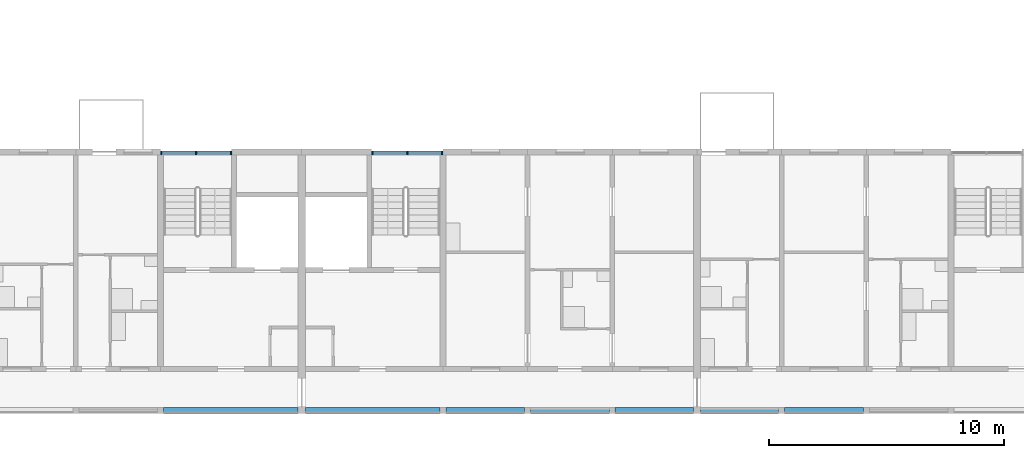
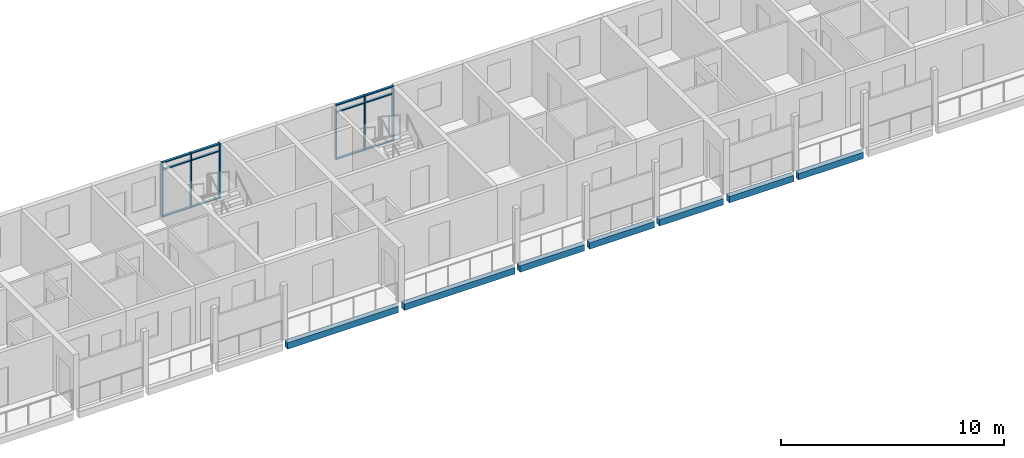
# One storey, part 6 of 94: 18 members, 7 beams, 2 elements without a shape of their own.
"""IFC4 building model written with IfcOpenShell, lengths in metres."""

from ifc_helpers import new_model, si_unit, direction, frame, origin, origin_2d, place, context, subcontext, project, spatial, rectangle, extrude, material, material_profile, profile_set, type_object, element, aggregate, save


model = new_model("IFC4")

# Units and contexts
model_context = context("Model", 3, precision=1e-05, world=origin(), true_north=direction((0.0, 1.0)))
body_context = subcontext(model_context, "Body", "Model", "MODEL_VIEW")
ifc_project = project(units=[si_unit("LENGTHUNIT", "METRE"), si_unit("AREAUNIT", "SQUARE_METRE"), si_unit("VOLUMEUNIT", "CUBIC_METRE"), si_unit("PLANEANGLEUNIT", "RADIAN"), si_unit("MASSUNIT", "GRAM", prefix="KILO")], contexts=[model_context])

# Site, building, storey
site_placement = place(None, origin())
site = spatial("IfcSite", under=ifc_project, at=site_placement, CompositionType="ELEMENT")
building_placement = place(site_placement, origin())
building = spatial("IfcBuilding", under=site, at=building_placement, Name="Ridgestep Commons", CompositionType="ELEMENT")
storey_placement = place(building_placement, frame((0.0, 0.0, 21.0)))
storey = spatial("IfcBuildingStorey", under=building, at=storey_placement, Name="L07", CompositionType="ELEMENT", Elevation=21.0)

# Beams
ifc_material_1 = material(Name="Precast concrete C40/50", Category="concrete")
ifc_material_profile_1 = material_profile(ifc_material_1, rectangle(XDim=0.25, YDim=0.35009765625, at=origin_2d()), Name="PC 250x350")
ifc_profile_set_1 = profile_set([ifc_material_profile_1], Name="Precast concrete C40/50")
beam_type = type_object("IfcBeamType", Name="Loggia edge beam 250 x 350", PredefinedType="SPANDREL", material=ifc_profile_set_1)
beam_1_placement = place(storey_placement, frame((39.72509765625, 11.875, -0.375), z_axis=(1.0, 0.0, 0.0), x_axis=(0.0, 1.0, 0.0)))
element("IfcBeam", 1, at=beam_1_placement, inside=storey, type_object=beam_type, Name="Loggia edge beam A2C L07", PredefinedType="SPANDREL", context=body_context, shape_type="SweptSolid", body=[
    extrude(rectangle(XDim=0.25, YDim=0.35009765625, at=origin_2d()), origin(), (0.0, 0.0, 1.0), 5.724853515625),
])
beam_2_placement = place(storey_placement, frame((45.75, 11.875, -0.375), z_axis=(1.0, 0.0, 0.0), x_axis=(0.0, 1.0, 0.0)))
element("IfcBeam", 2, at=beam_2_placement, inside=storey, type_object=beam_type, Name="Loggia edge beam A3C L07", PredefinedType="SPANDREL", context=body_context, shape_type="SweptSolid", body=[
    extrude(rectangle(XDim=0.25, YDim=0.35009765625, at=origin_2d()), origin(), (0.0, 0.0, 1.0), 5.72509765625),
])
beam_3_placement = place(storey_placement, frame((51.72509765625, 11.875, -0.375), z_axis=(1.0, 0.0, 0.0), x_axis=(0.0, 1.0, 0.0)))
element("IfcBeam", 3, at=beam_3_placement, inside=storey, type_object=beam_type, Name="Loggia edge beam A3T3 L07", PredefinedType="SPANDREL", context=body_context, shape_type="SweptSolid", body=[
    extrude(rectangle(XDim=0.25, YDim=0.35009765625, at=origin_2d()), origin(), (0.0, 0.0, 1.0), 3.349853515625),
])
beam_4_placement = place(storey_placement, frame((55.324951171875, 11.875, -0.375), z_axis=(1.0, 0.0, 0.0), x_axis=(0.0, 1.0, 0.0)))
element("IfcBeam", 4, at=beam_4_placement, inside=storey, type_object=beam_type, Name="Loggia edge beam A3T2 L07", PredefinedType="SPANDREL", context=body_context, shape_type="SweptSolid", body=[
    extrude(rectangle(XDim=0.25, YDim=0.35009765625, at=origin_2d()), origin(), (0.0, 0.0, 1.0), 3.35009765625),
])
for number, where, z_axis, x_axis, name in (
    (5, (58.925048828125, 11.875, -0.375), (1.0, 0.0, 0.0), (0.0, 1.0, 0.0), "Loggia edge beam A3T1 L07"),
    (6, (62.550048828125, 11.875, -0.375), (1.0, 0.0, 0.0), (0.0, 1.0, 0.0), "Loggia edge beam A4T1 L07"),
):
    element("IfcBeam", number, at=place(storey_placement, frame(where, z_axis=z_axis, x_axis=x_axis)), inside=storey, type_object=beam_type, Name=name, PredefinedType="SPANDREL", context=body_context, shape_type="SweptSolid", body=[
        extrude(rectangle(XDim=0.25, YDim=0.35009765625, at=origin_2d()), origin(), (0.0, 0.0, 1.0), 3.324951171875),
    ])
beam_5_placement = place(storey_placement, frame((66.125, 11.875, -0.375), z_axis=(1.0, 0.0, 0.0), x_axis=(0.0, 1.0, 0.0)))
element("IfcBeam", 7, at=beam_5_placement, inside=storey, type_object=beam_type, Name="Loggia edge beam A4T2 L07", PredefinedType="SPANDREL", context=body_context, shape_type="SweptSolid", body=[
    extrude(rectangle(XDim=0.25, YDim=0.35009765625, at=origin_2d()), origin(), (0.0, 0.0, 1.0), 3.35009765625),
])

# Curtain wall, members
ifc_material_2 = material(Name="Aluminium 6063-T6 and glass", Category="aluminium")
curtain_wall_type = type_object("IfcCurtainWallType", Name="Curtain wall stair strip", PredefinedType="NOTDEFINED", material=ifc_material_2)
curtain_wall_1_placement = place(storey_placement, origin())
curtain_wall_1 = element("IfcCurtainWall", 8, at=curtain_wall_1_placement, inside=storey, type_object=curtain_wall_type, Name="Curtain wall A2C level 07", PredefinedType="NOTDEFINED")
ifc_material_3 = material(Name="Aluminium 6063-T6", Category="aluminium")
ifc_material_profile_2 = material_profile(ifc_material_3, rectangle(XDim=0.159912109375, YDim=0.06005859375, at=origin_2d()), Name="Mullion 60 x 160")
ifc_profile_set_2 = profile_set([ifc_material_profile_2], Name="Aluminium 6063-T6")
member_type_1 = type_object("IfcMemberType", Name="Mullion 60 x 160", PredefinedType="MULLION", material=ifc_profile_set_2)
member_1_placement = place(storey_placement, frame((39.6298828125, 22.830078125, 0.0), z_axis=(0.0, 0.0, 1.0), x_axis=(0.0, 1.0, 0.0)))
member_1 = element("IfcMember", 9, at=member_1_placement, type_object=member_type_1, Name="CW1 mullion 1", PredefinedType="MULLION", context=body_context, shape_type="SweptSolid", body=[
    extrude(rectangle(XDim=0.159912109375, YDim=0.06005859375, at=origin_2d()), origin(), (0.0, 0.0, 1.0), 3.0),
])
member_2_placement = place(storey_placement, frame((41.112548828125, 22.830078125, 0.0), z_axis=(0.0, 0.0, 1.0), x_axis=(0.0, 1.0, 0.0)))
member_2 = element("IfcMember", 10, at=member_2_placement, type_object=member_type_1, Name="CW1 mullion 2", PredefinedType="MULLION", context=body_context, shape_type="SweptSolid", body=[
    extrude(rectangle(XDim=0.159912109375, YDim=0.06005859375, at=origin_2d()), origin(), (0.0, 0.0, 1.0), 3.0),
])
member_3_placement = place(storey_placement, frame((42.594970703125, 22.830078125, 0.0), z_axis=(0.0, 0.0, 1.0), x_axis=(0.0, 1.0, 0.0)))
member_3 = element("IfcMember", 11, at=member_3_placement, type_object=member_type_1, Name="CW1 mullion 3", PredefinedType="MULLION", context=body_context, shape_type="SweptSolid", body=[
    extrude(rectangle(XDim=0.159912109375, YDim=0.06005859375, at=origin_2d()), origin(), (0.0, 0.0, 1.0), 3.0),
])

curtain_wall_2_placement = place(storey_placement, origin())
curtain_wall_2 = element("IfcCurtainWall", 12, at=curtain_wall_2_placement, inside=storey, type_object=curtain_wall_type, Name="Curtain wall A3C level 07", PredefinedType="NOTDEFINED")
member_4_placement = place(storey_placement, frame((48.60498046875, 22.830078125, 0.0), z_axis=(0.0, 0.0, 1.0), x_axis=(0.0, 1.0, 0.0)))
member_4 = element("IfcMember", 13, at=member_4_placement, type_object=member_type_1, Name="CW1 mullion 1", PredefinedType="MULLION", context=body_context, shape_type="SweptSolid", body=[
    extrude(rectangle(XDim=0.159912109375, YDim=0.06005859375, at=origin_2d()), origin(), (0.0, 0.0, 1.0), 3.0),
])
member_5_placement = place(storey_placement, frame((50.08740234375, 22.830078125, 0.0), z_axis=(0.0, 0.0, 1.0), x_axis=(0.0, 1.0, 0.0)))
member_5 = element("IfcMember", 14, at=member_5_placement, type_object=member_type_1, Name="CW1 mullion 2", PredefinedType="MULLION", context=body_context, shape_type="SweptSolid", body=[
    extrude(rectangle(XDim=0.159912109375, YDim=0.06005859375, at=origin_2d()), origin(), (0.0, 0.0, 1.0), 3.0),
])
member_6_placement = place(storey_placement, frame((51.570068359375, 22.830078125, 0.0), z_axis=(0.0, 0.0, 1.0), x_axis=(0.0, 1.0, 0.0)))
member_6 = element("IfcMember", 15, at=member_6_placement, type_object=member_type_1, Name="CW1 mullion 3", PredefinedType="MULLION", context=body_context, shape_type="SweptSolid", body=[
    extrude(rectangle(XDim=0.159912109375, YDim=0.06005859375, at=origin_2d()), origin(), (0.0, 0.0, 1.0), 3.0),
])

# Member
ifc_material_4 = material(Name="Aluminium 6063-T6", Category="aluminium")
ifc_material_profile_3 = material_profile(ifc_material_4, rectangle(XDim=0.1201171875, YDim=0.06005859375, at=origin_2d()), Name="Transom 60 x 120")
ifc_profile_set_3 = profile_set([ifc_material_profile_3], Name="Aluminium 6063-T6")
member_type_2 = type_object("IfcMemberType", Name="Transom 60 x 120", PredefinedType="USERDEFINED", material=ifc_profile_set_3)
member_7_placement = place(storey_placement, frame((39.659912109375, 22.830078125, 0.030029296875), z_axis=(1.0, 0.0, 0.0), x_axis=(0.0, 1.0, 0.0)))
member_7 = element("IfcMember", 16, at=member_7_placement, type_object=member_type_2, Name="CW1 transom 1.1", ObjectType="TRANSOM", PredefinedType="USERDEFINED", context=body_context, shape_type="SweptSolid", body=[
    extrude(rectangle(XDim=0.1201171875, YDim=0.06005859375, at=origin_2d()), origin(), (0.0, 0.0, 1.0), 1.422607421875),
])

member_8_placement = place(storey_placement, frame((39.659912109375, 22.830078125, 2.590087890625), z_axis=(1.0, 0.0, 0.0), x_axis=(0.0, 1.0, 0.0)))
member_8 = element("IfcMember", 17, at=member_8_placement, type_object=member_type_2, Name="CW1 transom 1.2", ObjectType="TRANSOM", PredefinedType="USERDEFINED", context=body_context, shape_type="SweptSolid", body=[
    extrude(rectangle(XDim=0.1201171875, YDim=0.06005859375, at=origin_2d()), origin(), (0.0, 0.0, 1.0), 1.422607421875),
])

member_9_placement = place(storey_placement, frame((39.659912109375, 22.830078125, 2.969970703125), z_axis=(1.0, 0.0, 0.0), x_axis=(0.0, 1.0, 0.0)))
member_9 = element("IfcMember", 18, at=member_9_placement, type_object=member_type_2, Name="CW1 transom 1.3", ObjectType="TRANSOM", PredefinedType="USERDEFINED", context=body_context, shape_type="SweptSolid", body=[
    extrude(rectangle(XDim=0.1201171875, YDim=0.06005859375, at=origin_2d()), origin(), (0.0, 0.0, 1.0), 1.422607421875),
])

member_10_placement = place(storey_placement, frame((41.142578125, 22.830078125, 0.030029296875), z_axis=(1.0, 0.0, 0.0), x_axis=(0.0, 1.0, 0.0)))
member_10 = element("IfcMember", 19, at=member_10_placement, type_object=member_type_2, Name="CW1 transom 2.1", ObjectType="TRANSOM", PredefinedType="USERDEFINED", context=body_context, shape_type="SweptSolid", body=[
    extrude(rectangle(XDim=0.1201171875, YDim=0.06005859375, at=origin_2d()), origin(), (0.0, 0.0, 1.0), 1.42236328125),
])

member_11_placement = place(storey_placement, frame((41.142578125, 22.830078125, 2.590087890625), z_axis=(1.0, 0.0, 0.0), x_axis=(0.0, 1.0, 0.0)))
member_11 = element("IfcMember", 20, at=member_11_placement, type_object=member_type_2, Name="CW1 transom 2.2", ObjectType="TRANSOM", PredefinedType="USERDEFINED", context=body_context, shape_type="SweptSolid", body=[
    extrude(rectangle(XDim=0.1201171875, YDim=0.06005859375, at=origin_2d()), origin(), (0.0, 0.0, 1.0), 1.42236328125),
])

member_12_placement = place(storey_placement, frame((41.142578125, 22.830078125, 2.969970703125), z_axis=(1.0, 0.0, 0.0), x_axis=(0.0, 1.0, 0.0)))
member_12 = element("IfcMember", 21, at=member_12_placement, type_object=member_type_2, Name="CW1 transom 2.3", ObjectType="TRANSOM", PredefinedType="USERDEFINED", context=body_context, shape_type="SweptSolid", body=[
    extrude(rectangle(XDim=0.1201171875, YDim=0.06005859375, at=origin_2d()), origin(), (0.0, 0.0, 1.0), 1.42236328125),
])

aggregate(curtain_wall_1, [member_1, member_2, member_3, member_7, member_8, member_9, member_10, member_11, member_12])

member_13_placement = place(storey_placement, frame((48.635009765625, 22.830078125, 0.030029296875), z_axis=(1.0, 0.0, 0.0), x_axis=(0.0, 1.0, 0.0)))
member_13 = element("IfcMember", 22, at=member_13_placement, type_object=member_type_2, Name="CW1 transom 1.1", ObjectType="TRANSOM", PredefinedType="USERDEFINED", context=body_context, shape_type="SweptSolid", body=[
    extrude(rectangle(XDim=0.1201171875, YDim=0.06005859375, at=origin_2d()), origin(), (0.0, 0.0, 1.0), 1.422607421875),
])

member_14_placement = place(storey_placement, frame((48.635009765625, 22.830078125, 2.590087890625), z_axis=(1.0, 0.0, 0.0), x_axis=(0.0, 1.0, 0.0)))
member_14 = element("IfcMember", 23, at=member_14_placement, type_object=member_type_2, Name="CW1 transom 1.2", ObjectType="TRANSOM", PredefinedType="USERDEFINED", context=body_context, shape_type="SweptSolid", body=[
    extrude(rectangle(XDim=0.1201171875, YDim=0.06005859375, at=origin_2d()), origin(), (0.0, 0.0, 1.0), 1.422607421875),
])

member_15_placement = place(storey_placement, frame((48.635009765625, 22.830078125, 2.969970703125), z_axis=(1.0, 0.0, 0.0), x_axis=(0.0, 1.0, 0.0)))
member_15 = element("IfcMember", 24, at=member_15_placement, type_object=member_type_2, Name="CW1 transom 1.3", ObjectType="TRANSOM", PredefinedType="USERDEFINED", context=body_context, shape_type="SweptSolid", body=[
    extrude(rectangle(XDim=0.1201171875, YDim=0.06005859375, at=origin_2d()), origin(), (0.0, 0.0, 1.0), 1.422607421875),
])

member_16_placement = place(storey_placement, frame((50.117431640625, 22.830078125, 0.030029296875), z_axis=(1.0, 0.0, 0.0), x_axis=(0.0, 1.0, 0.0)))
member_16 = element("IfcMember", 25, at=member_16_placement, type_object=member_type_2, Name="CW1 transom 2.1", ObjectType="TRANSOM", PredefinedType="USERDEFINED", context=body_context, shape_type="SweptSolid", body=[
    extrude(rectangle(XDim=0.1201171875, YDim=0.06005859375, at=origin_2d()), origin(), (0.0, 0.0, 1.0), 1.422607421875),
])

member_17_placement = place(storey_placement, frame((50.117431640625, 22.830078125, 2.590087890625), z_axis=(1.0, 0.0, 0.0), x_axis=(0.0, 1.0, 0.0)))
member_17 = element("IfcMember", 26, at=member_17_placement, type_object=member_type_2, Name="CW1 transom 2.2", ObjectType="TRANSOM", PredefinedType="USERDEFINED", context=body_context, shape_type="SweptSolid", body=[
    extrude(rectangle(XDim=0.1201171875, YDim=0.06005859375, at=origin_2d()), origin(), (0.0, 0.0, 1.0), 1.422607421875),
])

member_18_placement = place(storey_placement, frame((50.117431640625, 22.830078125, 2.969970703125), z_axis=(1.0, 0.0, 0.0), x_axis=(0.0, 1.0, 0.0)))
member_18 = element("IfcMember", 27, at=member_18_placement, type_object=member_type_2, Name="CW1 transom 2.3", ObjectType="TRANSOM", PredefinedType="USERDEFINED", context=body_context, shape_type="SweptSolid", body=[
    extrude(rectangle(XDim=0.1201171875, YDim=0.06005859375, at=origin_2d()), origin(), (0.0, 0.0, 1.0), 1.422607421875),
])

aggregate(curtain_wall_2, [member_4, member_5, member_6, member_13, member_14, member_15, member_16, member_17, member_18])

save(model, "model.ifc")
